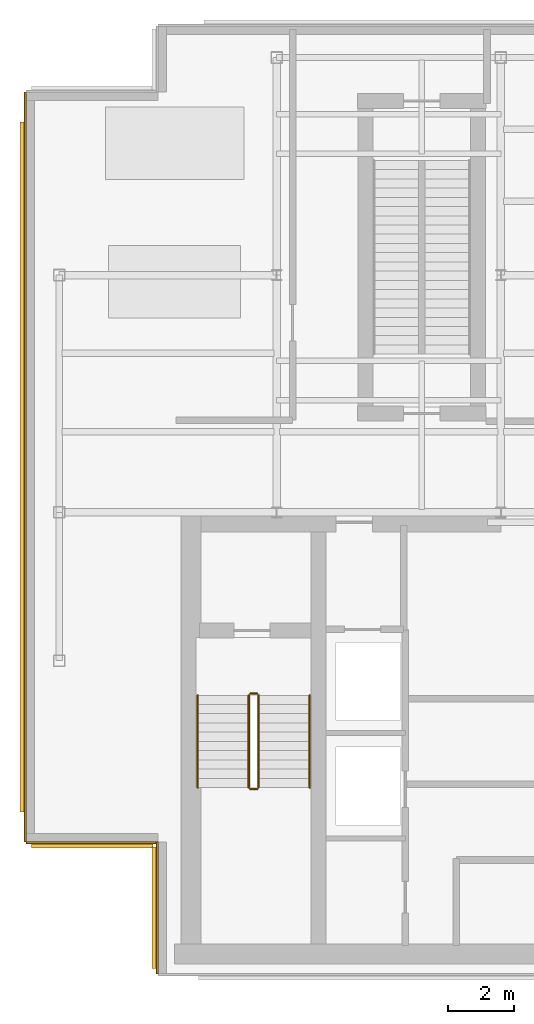
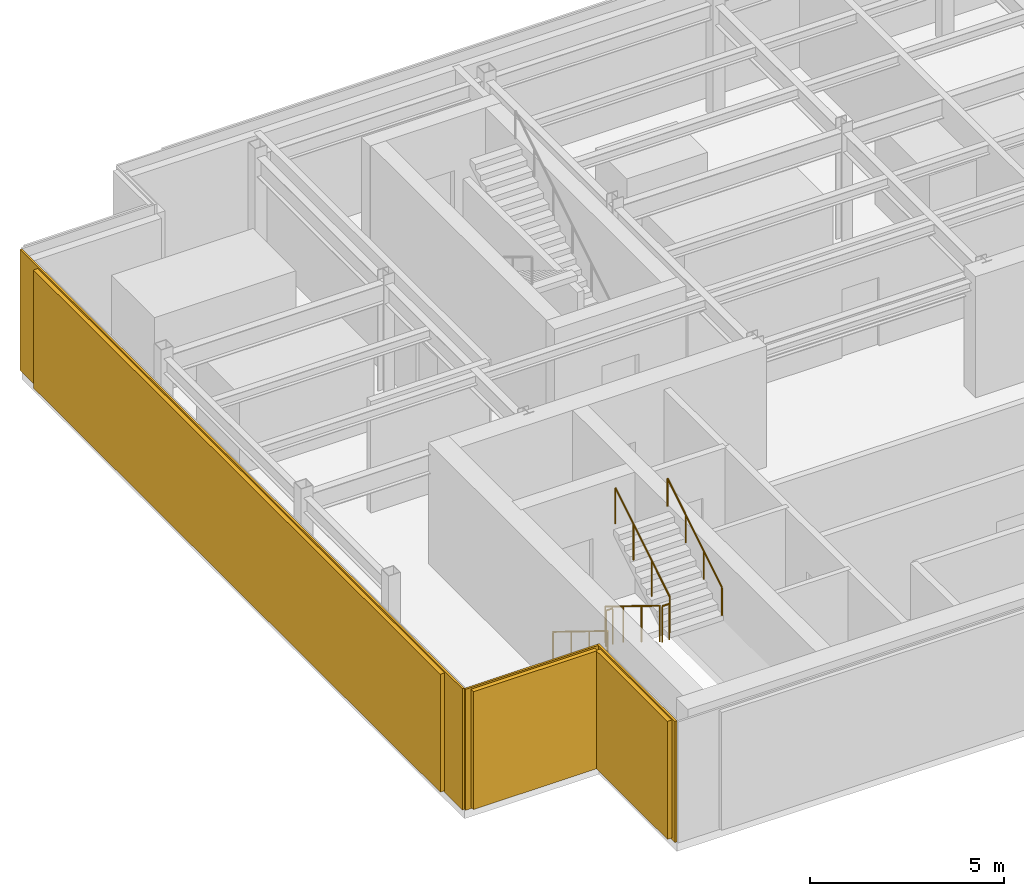
# One storey, part 4 of 7: 6 railings, 3 coverings, 3 shading devices.
"""IFC4 building model written with IfcOpenShell, lengths in metres."""

from ifc_helpers import new_model, si_unit, derived_unit, direction, frame, origin, origin_2d, place, context, subcontext, project, spatial, rectangle, circle, extrude, source, transform, mapped, material, layer, layer_set, type_object, element, save


model = new_model("IFC4")

# Units and contexts
model_context = context("Model", 3, precision=1e-05, world=origin(), true_north=direction((0.0, 1.0)))
body_context = subcontext(model_context, "Body", "Model", "MODEL_VIEW")
ifc_project = project(units=[si_unit("LENGTHUNIT", "METRE"), si_unit("AREAUNIT", "SQUARE_METRE"), si_unit("VOLUMEUNIT", "CUBIC_METRE"), si_unit("PLANEANGLEUNIT", "RADIAN"), si_unit("MASSUNIT", "GRAM", prefix="KILO"), derived_unit("THERMALTRANSMITTANCEUNIT", [(si_unit("POWERUNIT", "WATT"), 1), (si_unit("LENGTHUNIT", "METRE"), -2), (si_unit("THERMODYNAMICTEMPERATUREUNIT", "KELVIN"), -1)])], contexts=[model_context])

# Site, building, storey
site_placement = place(None, origin())
site = spatial("IfcSite", under=ifc_project, at=site_placement, CompositionType="ELEMENT")
building_placement = place(site_placement, origin())
building = spatial("IfcBuilding", under=site, at=building_placement, Name="Skarnbrae Concourse Arena and Tower", CompositionType="ELEMENT")
storey_placement = place(building_placement, frame((0.0, 0.0, 296.050048828125)))
storey = spatial("IfcBuildingStorey", under=building, at=storey_placement, Name="L77", CompositionType="ELEMENT", Elevation=296.050048828125)

# Railings
ifc_material_1 = material(Name="Steel CSA G40.21 350W", Category="steel")
railing_type_1 = type_object("IfcRailingType", Name="RAIL-HANDRAIL-900", PredefinedType="HANDRAIL", material=ifc_material_1)
railing_1_placement = place(storey_placement, frame((5.199951171875, 8.449951171875, 0.172607421875)))
element("IfcRailing", 1, at=railing_1_placement, inside=storey, type_object=railing_type_1, Name="L77 ST-1 stair handrail 1", PredefinedType="HANDRAIL", context=body_context, shape_type="SweptSolid", body=[
    extrude(circle(Radius=0.02392578125, at=origin_2d()), frame((0.0, 0.0, 0.8759765625), z_axis=(0.0, -0.851089632645, 0.525020415988), x_axis=(1.0, 0.0, 0.0)), (0.0, 0.0, 1.0), 3.2900390625),
    extrude(circle(Radius=0.02099609375, at=origin_2d()), origin(), (0.0, 0.0, 1.0), 0.851806640625),
    extrude(circle(Radius=0.02099609375, at=origin_2d()), frame((0.0, -0.933349609375, 0.57568359375)), (0.0, 0.0, 1.0), 0.851806640625),
    extrude(circle(Radius=0.02099609375, at=origin_2d()), frame((0.0, -1.86669921875, 1.151611328125)), (0.0, 0.0, 1.0), 0.851806640625),
    extrude(circle(Radius=0.02099609375, at=origin_2d()), frame((0.0, -2.800048828125, 1.727294921875)), (0.0, 0.0, 1.0), 0.851806640625),
])
railing_2_placement = place(storey_placement, frame((8.60009765625, 5.64990234375, 2.07275390625)))
element("IfcRailing", 2, at=railing_2_placement, inside=storey, type_object=railing_type_1, Name="L77 ST-1 stair handrail 2", PredefinedType="HANDRAIL", context=body_context, shape_type="SweptSolid", body=[
    extrude(circle(Radius=0.02392578125, at=origin_2d()), frame((0.0, 0.0, 0.8759765625), z_axis=(0.0, 0.851089632645, 0.525020415988), x_axis=(-1.0, 0.0, 0.0)), (0.0, 0.0, 1.0), 3.2900390625),
    extrude(circle(Radius=0.02099609375, at=origin_2d()), origin(), (0.0, 0.0, 1.0), 0.851806640625),
    extrude(circle(Radius=0.02099609375, at=origin_2d()), frame((0.0, 0.933349609375, 0.57568359375)), (0.0, 0.0, 1.0), 0.851806640625),
    extrude(circle(Radius=0.02099609375, at=origin_2d()), frame((0.0, 1.86669921875, 1.151611328125)), (0.0, 0.0, 1.0), 0.851806640625),
    extrude(circle(Radius=0.02099609375, at=origin_2d()), frame((0.0, 2.800048828125, 1.727294921875)), (0.0, 0.0, 1.0), 0.851806640625),
])
railing_type_2 = type_object("IfcRailingType", Name="RAIL-STAIR-GUARD-1150", PredefinedType="GUARDRAIL", material=ifc_material_1)
railing_3_placement = place(storey_placement, frame((6.75, 8.449951171875, 0.172607421875)))
element("IfcRailing", 3, at=railing_3_placement, inside=storey, type_object=railing_type_2, Name="L77 ST-1 stair guard 1", PredefinedType="GUARDRAIL", context=body_context, shape_type="SweptSolid", body=[
    extrude(circle(Radius=0.02392578125, at=origin_2d()), frame((0.0, 0.0, 1.1259765625), z_axis=(0.0, -0.851089632645, 0.525020415988), x_axis=(1.0, 0.0, 0.0)), (0.0, 0.0, 1.0), 3.2900390625),
    extrude(circle(Radius=0.02099609375, at=origin_2d()), origin(), (0.0, 0.0, 1.0), 1.101806640625),
    extrude(circle(Radius=0.02099609375, at=origin_2d()), frame((0.0, -0.933349609375, 0.57568359375)), (0.0, 0.0, 1.0), 1.101806640625),
    extrude(circle(Radius=0.02099609375, at=origin_2d()), frame((0.0, -1.86669921875, 1.151611328125)), (0.0, 0.0, 1.0), 1.101806640625),
    extrude(circle(Radius=0.02099609375, at=origin_2d()), frame((0.0, -2.800048828125, 1.727294921875)), (0.0, 0.0, 1.0), 1.101806640625),
])
railing_4_placement = place(storey_placement, frame((6.800048828125, 5.60009765625, 1.89990234375)))
element("IfcRailing", 4, at=railing_4_placement, inside=storey, type_object=railing_type_2, Name="L77 ST-1 stair guard 2", PredefinedType="GUARDRAIL", context=body_context, shape_type="SweptSolid", body=[
    extrude(circle(Radius=0.02392578125, at=origin_2d()), frame((0.0, 0.0, 1.1259765625), z_axis=(1.0, 0.0, 0.0), x_axis=(0.0, 1.0, 0.0)), (0.0, 0.0, 1.0), 0.199951171875),
    extrude(circle(Radius=0.02099609375, at=origin_2d()), origin(), (0.0, 0.0, 1.0), 1.101806640625),
    extrude(circle(Radius=0.02099609375, at=origin_2d()), frame((0.199951171875, 0.0, 0.0)), (0.0, 0.0, 1.0), 1.101806640625),
])
railing_5_placement = place(storey_placement, frame((7.050048828125, 5.64990234375, 2.07275390625)))
element("IfcRailing", 5, at=railing_5_placement, inside=storey, type_object=railing_type_2, Name="L77 ST-1 stair guard 3", PredefinedType="GUARDRAIL", context=body_context, shape_type="SweptSolid", body=[
    extrude(circle(Radius=0.02392578125, at=origin_2d()), frame((0.0, 0.0, 1.1259765625), z_axis=(0.0, 0.851089632645, 0.525020415988), x_axis=(-1.0, 0.0, 0.0)), (0.0, 0.0, 1.0), 3.2900390625),
    extrude(circle(Radius=0.02099609375, at=origin_2d()), origin(), (0.0, 0.0, 1.0), 1.101806640625),
    extrude(circle(Radius=0.02099609375, at=origin_2d()), frame((0.0, 0.933349609375, 0.57568359375)), (0.0, 0.0, 1.0), 1.101806640625),
    extrude(circle(Radius=0.02099609375, at=origin_2d()), frame((0.0, 1.86669921875, 1.151611328125)), (0.0, 0.0, 1.0), 1.101806640625),
    extrude(circle(Radius=0.02099609375, at=origin_2d()), frame((0.0, 2.800048828125, 1.727294921875)), (0.0, 0.0, 1.0), 1.101806640625),
])
railing_6_placement = place(storey_placement, frame((6.800048828125, 8.5, 0.0)))
element("IfcRailing", 6, at=railing_6_placement, inside=storey, type_object=railing_type_2, Name="L77 ST-1 stair guard 4", PredefinedType="GUARDRAIL", context=body_context, shape_type="SweptSolid", body=[
    extrude(circle(Radius=0.02392578125, at=origin_2d()), frame((0.0, 0.0, 1.1259765625), z_axis=(1.0, 0.0, 0.0), x_axis=(0.0, 1.0, 0.0)), (0.0, 0.0, 1.0), 0.199951171875),
    extrude(circle(Radius=0.02099609375, at=origin_2d()), origin(), (0.0, 0.0, 1.0), 1.101806640625),
    extrude(circle(Radius=0.02099609375, at=origin_2d()), frame((0.199951171875, 0.0, 0.0)), (0.0, 0.0, 1.0), 1.101806640625),
])

# Coverings
ifc_material_2 = material(Name="Bronze anodised aluminium 6063-T6", Category="aluminium")
ifc_layer = layer(ifc_material_2, 0.06005859375)
ifc_layer_set = layer_set([ifc_layer], Name="Bronze anodised aluminium 6063-T6")
covering_type = type_object("IfcCoveringType", Name="COV-CLAD-BRONZE-60", PredefinedType="CLADDING", material=ifc_layer_set)
shared_shape_1 = source(origin(), body_context, "Body", "SweptSolid", [
    extrude(rectangle(XDim=4.0, YDim=0.06005859375, at=origin_2d()), origin(), (0.0, 0.0, 1.0), 3.800048828125),
])
for number, where, z_axis, x_axis, name in (
    (7, (2.0, 3.969970703125, 0.0), (0.0, 0.0, 1.0), (1.0, 0.0, 0.0), "L77 Bronze crown rainscreen cladding 11"),
    (8, (3.969970703125, 2.0, 0.0), (0.0, 0.0, 1.0), (0.0, -1.0, 0.0), "L77 Bronze crown rainscreen cladding 12"),
):
    element("IfcCovering", number, at=place(storey_placement, frame(where, z_axis=z_axis, x_axis=x_axis)), inside=storey, type_object=covering_type, Name=name, PredefinedType="CLADDING", context=body_context, shape_type="MappedRepresentation", body=[
        mapped(shared_shape_1, transform((0.0, 0.0, 0.0))),
    ])

# Shading devices
shading_device_type = type_object("IfcShadingDeviceType", Name="SHD-BRONZE-LOUVRE-150", PredefinedType="USERDEFINED", material=ifc_material_2)
shared_shape_2 = source(origin(), body_context, "Body", "SweptSolid", [
    extrude(rectangle(XDim=3.679931640625, YDim=0.139892578125, at=origin_2d()), origin(), (0.0, 0.0, 1.0), 3.699951171875),
])
for number, where, z_axis, x_axis, name in (
    (9, (2.0, 3.8798828125, 0.0498046875), (0.0, 0.0, 1.0), (1.0, 0.0, 0.0), "L77 Crown bronze architectural louvre screen 11"),
    (10, (3.8798828125, 2.0, 0.0498046875), (0.0, 0.0, 1.0), (0.0, -1.0, 0.0), "L77 Crown bronze architectural louvre screen 12"),
):
    element("IfcShadingDevice", number, at=place(storey_placement, frame(where, z_axis=z_axis, x_axis=x_axis)), inside=storey, type_object=shading_device_type, Name=name, ObjectType="LOUVRE", PredefinedType="USERDEFINED", context=body_context, shape_type="MappedRepresentation", body=[
        mapped(shared_shape_2, transform((0.0, 0.0, 0.0))),
    ])

# Covering
shared_shape_3 = source(origin(), body_context, "Body", "SweptSolid", [
    extrude(rectangle(XDim=22.75, YDim=0.06005859375, at=origin_2d()), origin(), (0.0, 0.0, 1.0), 3.800048828125),
])
covering_placement = place(storey_placement, frame((-0.030029296875, 15.375, 0.0), z_axis=(0.0, 0.0, 1.0), x_axis=(0.0, -1.0, 0.0)))
element("IfcCovering", 11, at=covering_placement, inside=storey, type_object=covering_type, Name="L77 Bronze crown rainscreen cladding 10", PredefinedType="CLADDING", context=body_context, shape_type="MappedRepresentation", body=[
    mapped(shared_shape_3, transform((0.0, 0.0, 0.0))),
])

# Shading device
shared_shape_4 = source(origin(), body_context, "Body", "SweptSolid", [
    extrude(rectangle(XDim=20.929931640625, YDim=0.139892578125, at=origin_2d()), origin(), (0.0, 0.0, 1.0), 3.699951171875),
])
shading_device_placement = place(storey_placement, frame((-0.1201171875, 15.375, 0.0498046875), z_axis=(0.0, 0.0, 1.0), x_axis=(0.0, -1.0, 0.0)))
element("IfcShadingDevice", 12, at=shading_device_placement, inside=storey, type_object=shading_device_type, Name="L77 Crown bronze architectural louvre screen 10", ObjectType="LOUVRE", PredefinedType="USERDEFINED", context=body_context, shape_type="MappedRepresentation", body=[
    mapped(shared_shape_4, transform((0.0, 0.0, 0.0))),
])

save(model, "model.ifc")
